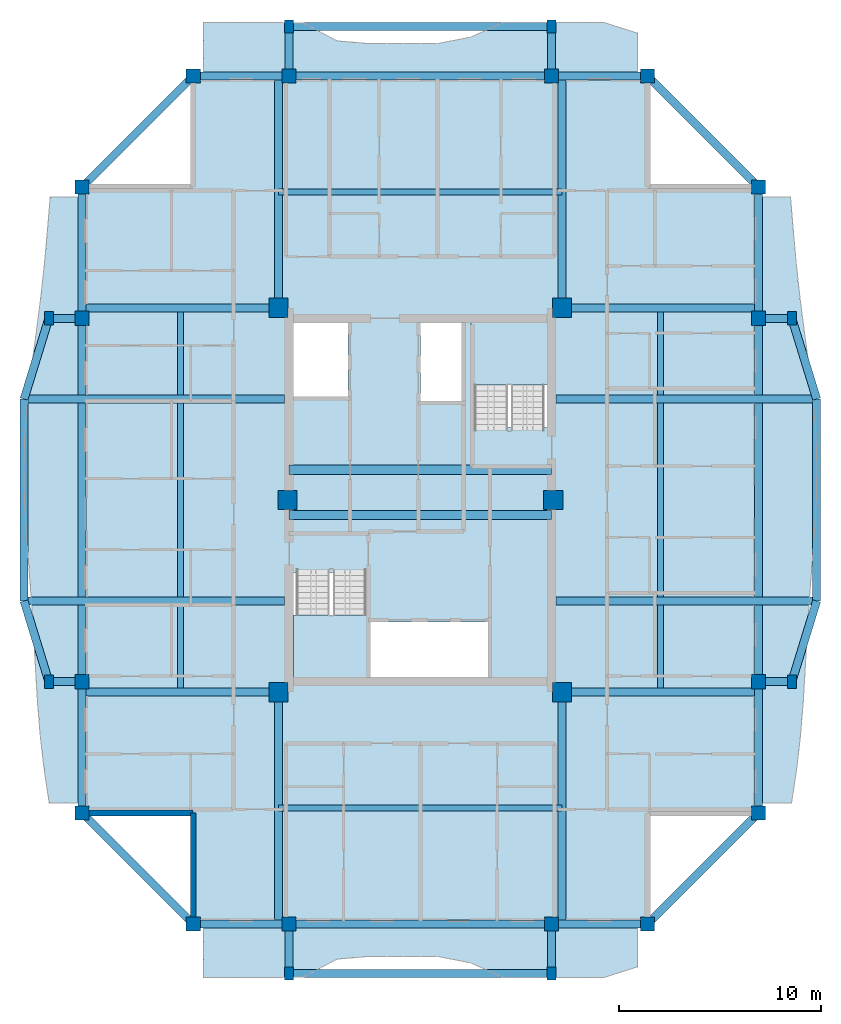
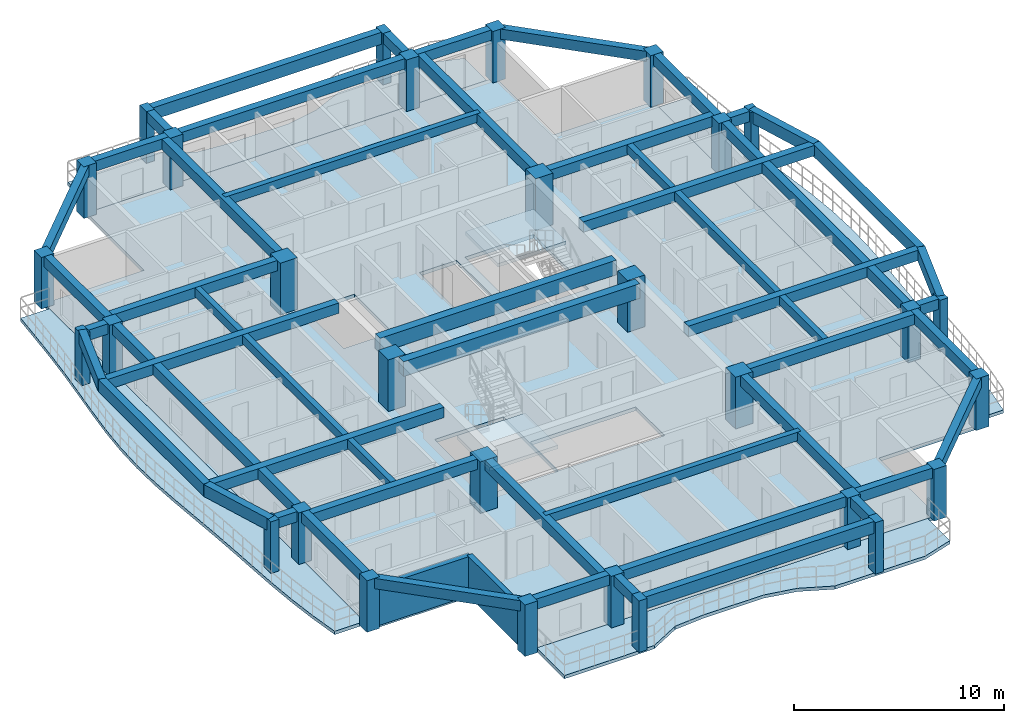
# One storey, part 1 of 13: 50 beams, 30 columns, 7 slabs, 2 walls, 2 elements without a shape of their own.
"""IFC4 building model written with IfcOpenShell, lengths in metres."""

from ifc_helpers import new_model, si_unit, direction, frame, frame_2d, origin, origin_2d, place, context, subcontext, project, spatial, polyline, rectangle, outline, extrude, source, transform, mapped, material, layer, layer_set, material_profile, profile_set, type_object, element, aggregate, save


model = new_model("IFC4")

# Units and contexts
model_context = context("Model", 3, precision=1e-05, world=origin(), true_north=direction((0.0, 1.0)))
body_context = subcontext(model_context, "Body", "Model", "MODEL_VIEW")
ifc_project = project(units=[si_unit("LENGTHUNIT", "METRE"), si_unit("AREAUNIT", "SQUARE_METRE"), si_unit("VOLUMEUNIT", "CUBIC_METRE"), si_unit("PLANEANGLEUNIT", "RADIAN"), si_unit("MASSUNIT", "GRAM", prefix="KILO")], contexts=[model_context])

# Site, building, storey
site_placement = place(None, origin())
site = spatial("IfcSite", under=ifc_project, at=site_placement, CompositionType="ELEMENT")
building_placement = place(site_placement, origin())
building = spatial("IfcBuilding", under=site, at=building_placement, Name="Saelheon Loggia Tower", CompositionType="ELEMENT")
storey_placement = place(building_placement, frame((0.0, 0.0, 223.199951171875)))
storey = spatial("IfcBuildingStorey", under=building, at=storey_placement, Name="L69", CompositionType="ELEMENT", Elevation=223.199951171875)

# Columns
ifc_material_1 = material(Name="Concrete C45/55", Category="concrete")
ifc_material_profile_1 = material_profile(ifc_material_1, rectangle(XDim=0.949951171875, YDim=0.949951171875, at=origin_2d()), Name="RC-950x950")
ifc_profile_set_1 = profile_set([ifc_material_profile_1], Name="Concrete C45/55")
column_type_1 = type_object("IfcColumnType", Name="Col_Core_RC950", PredefinedType="COLUMN", material=ifc_profile_set_1)
shared_shape_1 = source(origin(), body_context, "Body", "SweptSolid", [
    extrude(rectangle(XDim=0.949951171875, YDim=0.949951171875, at=origin_2d()), origin(), (0.0, 0.0, 1.0), 3.0),
])
for number, where, z_axis, x_axis, name in (
    (1, (30.97998046875, 17.47998046875, 0.0), (0.0, 0.0, 1.0), (1.0, 0.0, 0.0), "L69 Core Column CR-SW"),
    (2, (45.02001953125, 17.47998046875, 0.0), (0.0, 0.0, 1.0), (1.0, 0.0, 0.0), "L69 Core Column CR-SE"),
    (3, (30.97998046875, 36.52001953125, 0.0), (0.0, 0.0, 1.0), (1.0, 0.0, 0.0), "L69 Core Column CR-NW"),
    (4, (45.02001953125, 36.52001953125, 0.0), (0.0, 0.0, 1.0), (1.0, 0.0, 0.0), "L69 Core Column CR-NE"),
    (5, (31.419921875, 27.0, 0.0), (0.0, 0.0, 1.0), (1.0, 0.0, 0.0), "L69 Core Column CR-MW"),
    (6, (44.580078125, 27.0, 0.0), (0.0, 0.0, 1.0), (1.0, 0.0, 0.0), "L69 Core Column CR-ME"),
):
    element("IfcColumn", number, at=place(storey_placement, frame(where, z_axis=z_axis, x_axis=x_axis)), inside=storey, type_object=column_type_1, Name=name, PredefinedType="COLUMN", context=body_context, shape_type="MappedRepresentation", body=[
        mapped(shared_shape_1, transform((0.0, 0.0, 0.0), scale=1.0)),
    ])
ifc_material_2 = material(Name="Precast Concrete C45/55", Category="concrete")
ifc_material_profile_2 = material_profile(ifc_material_2, rectangle(XDim=0.449951171875, YDim=0.64990234375, at=origin_2d()), Name="RC-450x650")
ifc_profile_set_2 = profile_set([ifc_material_profile_2], Name="Precast Concrete C45/55")
column_type_2 = type_object("IfcColumnType", Name="Col_Loggia_Pilaster_650", PredefinedType="PILASTER", material=ifc_profile_set_2)
shared_shape_2 = source(origin(), body_context, "Body", "SweptSolid", [
    extrude(rectangle(XDim=0.449951171875, YDim=0.64990234375, at=origin_2d()), origin(), (0.0, 0.0, 1.0), 3.0),
])
for number, where, z_axis, x_axis, name in (
    (7, (31.5, 3.550048828125, 0.0), (0.0, 0.0, 1.0), (1.0, 0.0, 0.0), "L69 Loggia Frame Pilaster LP-S1"),
    (8, (44.5, 3.550048828125, 0.0), (0.0, 0.0, 1.0), (1.0, 0.0, 0.0), "L69 Loggia Frame Pilaster LP-S2"),
    (9, (31.5, 50.449951171875, 0.0), (0.0, 0.0, 1.0), (1.0, 0.0, 0.0), "L69 Loggia Frame Pilaster LP-N1"),
    (10, (44.5, 50.449951171875, 0.0), (0.0, 0.0, 1.0), (1.0, 0.0, 0.0), "L69 Loggia Frame Pilaster LP-N2"),
    (11, (56.39990234375, 18.0, 0.0), (0.0, 0.0, 1.0), (1.0, 0.0, 0.0), "L69 Loggia Frame Pilaster LP-E1"),
    (12, (56.39990234375, 36.0, 0.0), (0.0, 0.0, 1.0), (1.0, 0.0, 0.0), "L69 Loggia Frame Pilaster LP-E2"),
    (13, (19.60009765625, 18.0, 0.0), (0.0, 0.0, 1.0), (1.0, 0.0, 0.0), "L69 Loggia Frame Pilaster LP-W1"),
    (14, (19.60009765625, 36.0, 0.0), (0.0, 0.0, 1.0), (1.0, 0.0, 0.0), "L69 Loggia Frame Pilaster LP-W2"),
):
    element("IfcColumn", number, at=place(storey_placement, frame(where, z_axis=z_axis, x_axis=x_axis)), inside=storey, type_object=column_type_2, Name=name, PredefinedType="PILASTER", context=body_context, shape_type="MappedRepresentation", body=[
        mapped(shared_shape_2, transform((0.0, 0.0, 0.0), scale=1.0)),
    ])
ifc_material_profile_3 = material_profile(ifc_material_1, rectangle(XDim=0.699951171875, YDim=0.699951171875, at=origin_2d()), Name="RC-700x700")
ifc_profile_set_3 = profile_set([ifc_material_profile_3], Name="Concrete C45/55")
column_type_3 = type_object("IfcColumnType", Name="Col_Perim_RC700", PredefinedType="COLUMN", material=ifc_profile_set_3)
shared_shape_3 = source(origin(), body_context, "Body", "SweptSolid", [
    extrude(rectangle(XDim=0.699951171875, YDim=0.699951171875, at=origin_2d()), origin(), (0.0, 0.0, 1.0), 3.0),
])
for number, where, z_axis, x_axis, name in (
    (15, (26.75, 6.0, 0.0), (0.0, 0.0, 1.0), (1.0, 0.0, 0.0), "L69 Perimeter Column TP-S1"),
    (16, (31.5, 6.0, 0.0), (0.0, 0.0, 1.0), (1.0, 0.0, 0.0), "L69 Perimeter Column TP-SA"),
    (17, (44.5, 6.0, 0.0), (0.0, 0.0, 1.0), (1.0, 0.0, 0.0), "L69 Perimeter Column TP-SB"),
    (18, (49.25, 6.0, 0.0), (0.0, 0.0, 1.0), (1.0, 0.0, 0.0), "L69 Perimeter Column TP-S2"),
    (19, (54.75, 11.5, 0.0), (0.0, 0.0, 1.0), (1.0, 0.0, 0.0), "L69 Perimeter Column TP-E1"),
    (20, (54.75, 18.0, 0.0), (0.0, 0.0, 1.0), (1.0, 0.0, 0.0), "L69 Perimeter Column TP-EA"),
    (21, (54.75, 36.0, 0.0), (0.0, 0.0, 1.0), (1.0, 0.0, 0.0), "L69 Perimeter Column TP-EB"),
    (22, (54.75, 42.5, 0.0), (0.0, 0.0, 1.0), (1.0, 0.0, 0.0), "L69 Perimeter Column TP-E2"),
    (23, (49.25, 48.0, 0.0), (0.0, 0.0, 1.0), (1.0, 0.0, 0.0), "L69 Perimeter Column TP-N2"),
    (24, (44.5, 48.0, 0.0), (0.0, 0.0, 1.0), (1.0, 0.0, 0.0), "L69 Perimeter Column TP-NB"),
    (25, (31.5, 48.0, 0.0), (0.0, 0.0, 1.0), (1.0, 0.0, 0.0), "L69 Perimeter Column TP-NA"),
    (26, (26.75, 48.0, 0.0), (0.0, 0.0, 1.0), (1.0, 0.0, 0.0), "L69 Perimeter Column TP-N1"),
    (27, (21.25, 42.5, 0.0), (0.0, 0.0, 1.0), (1.0, 0.0, 0.0), "L69 Perimeter Column TP-W2"),
    (28, (21.25, 36.0, 0.0), (0.0, 0.0, 1.0), (1.0, 0.0, 0.0), "L69 Perimeter Column TP-WB"),
    (29, (21.25, 18.0, 0.0), (0.0, 0.0, 1.0), (1.0, 0.0, 0.0), "L69 Perimeter Column TP-WA"),
    (30, (21.25, 11.5, 0.0), (0.0, 0.0, 1.0), (1.0, 0.0, 0.0), "L69 Perimeter Column TP-W1"),
):
    element("IfcColumn", number, at=place(storey_placement, frame(where, z_axis=z_axis, x_axis=x_axis)), inside=storey, type_object=column_type_3, Name=name, PredefinedType="COLUMN", context=body_context, shape_type="MappedRepresentation", body=[
        mapped(shared_shape_3, transform((0.0, 0.0, 0.0), scale=1.0)),
    ])

# Beams
ifc_material_3 = material(Name="Concrete C50/60", Category="concrete")
ifc_material_profile_4 = material_profile(ifc_material_3, rectangle(XDim=0.449951171875, YDim=0.85009765625, at=origin_2d()), Name="RC-450x850")
ifc_profile_set_4 = profile_set([ifc_material_profile_4], Name="Concrete C50/60")
beam_type_1 = type_object("IfcBeamType", Name="Beam_CoreLintel_RC450x850", PredefinedType="LINTEL", material=ifc_profile_set_4)
shared_shape_4 = source(origin(), body_context, "Body", "SweptSolid", [
    extrude(rectangle(XDim=0.449951171875, YDim=0.85009765625, at=origin_2d()), origin(), (0.0, 0.0, 1.0), 13.0),
])
for number, where, z_axis, x_axis, name in (
    (31, (31.5, 26.25, 2.574951171875), (1.0, 0.0, 0.0), (0.0, 1.0, 0.0), "L69 Core Coupling Lintel 1"),
    (32, (31.5, 28.5, 2.574951171875), (1.0, 0.0, 0.0), (0.0, 1.0, 0.0), "L69 Core Coupling Lintel 2"),
):
    element("IfcBeam", number, at=place(storey_placement, frame(where, z_axis=z_axis, x_axis=x_axis)), inside=storey, type_object=beam_type_1, Name=name, PredefinedType="LINTEL", context=body_context, shape_type="MappedRepresentation", body=[
        mapped(shared_shape_4, transform((0.0, 0.0, 0.0), scale=1.0)),
    ])
ifc_material_profile_5 = material_profile(ifc_material_2, rectangle(XDim=0.39990234375, YDim=0.60009765625, at=origin_2d()), Name="RC-400x600")
ifc_profile_set_5 = profile_set([ifc_material_profile_5], Name="Precast Concrete C45/55")
beam_type_2 = type_object("IfcBeamType", Name="Beam_LoggiaTie_RC400x600", PredefinedType="BEAM", material=ifc_profile_set_5)
shared_shape_5 = source(origin(), body_context, "Body", "SweptSolid", [
    extrude(rectangle(XDim=0.39990234375, YDim=0.60009765625, at=origin_2d()), origin(), (0.0, 0.0, 1.0), 2.449951171875),
])
for number, where, z_axis, x_axis, name in (
    (33, (31.5, 6.0, 2.699951171875), (0.0, -1.0, 0.0), (1.0, 0.0, 0.0), "L69 Loggia Frame Tie Beam LP-S1"),
    (34, (44.5, 6.0, 2.699951171875), (0.0, -1.0, 0.0), (1.0, 0.0, 0.0), "L69 Loggia Frame Tie Beam LP-S2"),
    (35, (31.5, 48.0, 2.699951171875), (0.0, 1.0, 0.0), (-1.0, 0.0, 0.0), "L69 Loggia Frame Tie Beam LP-N1"),
    (36, (44.5, 48.0, 2.699951171875), (0.0, 1.0, 0.0), (-1.0, 0.0, 0.0), "L69 Loggia Frame Tie Beam LP-N2"),
):
    element("IfcBeam", number, at=place(storey_placement, frame(where, z_axis=z_axis, x_axis=x_axis)), inside=storey, type_object=beam_type_2, Name=name, PredefinedType="BEAM", context=body_context, shape_type="MappedRepresentation", body=[
        mapped(shared_shape_5, transform((0.0, 0.0, 0.0), scale=1.0)),
    ])
ifc_material_4 = material(Name="Concrete C40/50", Category="concrete")
ifc_material_profile_6 = material_profile(ifc_material_4, rectangle(XDim=0.300048828125, YDim=0.5, at=origin_2d()), Name="RC-300x500")
ifc_profile_set_6 = profile_set([ifc_material_profile_6], Name="Concrete C40/50")
beam_type_3 = type_object("IfcBeamType", Name="Beam_Joist_RC300x500", PredefinedType="JOIST", material=ifc_profile_set_6)
shared_shape_6 = source(origin(), body_context, "Body", "SweptSolid", [
    extrude(rectangle(XDim=0.300048828125, YDim=0.5, at=origin_2d()), origin(), (0.0, 0.0, 1.0), 14.0400390625),
])
for number, where, z_axis, x_axis, name in (
    (37, (30.97998046875, 11.739990234375, 2.75), (1.0, 0.0, 0.0), (0.0, 1.0, 0.0), "L69 South Floor Joist"),
    (38, (30.97998046875, 42.260009765625, 2.75), (1.0, 0.0, 0.0), (0.0, 1.0, 0.0), "L69 North Floor Joist"),
):
    element("IfcBeam", number, at=place(storey_placement, frame(where, z_axis=z_axis, x_axis=x_axis)), inside=storey, type_object=beam_type_3, Name=name, PredefinedType="JOIST", context=body_context, shape_type="MappedRepresentation", body=[
        mapped(shared_shape_6, transform((0.0, 0.0, 0.0), scale=1.0)),
    ])
shared_shape_7 = source(origin(), body_context, "Body", "SweptSolid", [
    extrude(rectangle(XDim=0.300048828125, YDim=0.5, at=origin_2d()), origin(), (0.0, 0.0, 1.0), 19.0400390625),
])
for number, where, z_axis, x_axis, name in (
    (39, (26.114990234375, 17.47998046875, 2.75), (0.0, 1.0, 0.0), (-1.0, 0.0, 0.0), "L69 West Floor Joist"),
    (40, (49.885009765625, 17.47998046875, 2.75), (0.0, 1.0, 0.0), (-1.0, 0.0, 0.0), "L69 East Floor Joist"),
):
    element("IfcBeam", number, at=place(storey_placement, frame(where, z_axis=z_axis, x_axis=x_axis)), inside=storey, type_object=beam_type_3, Name=name, PredefinedType="JOIST", context=body_context, shape_type="MappedRepresentation", body=[
        mapped(shared_shape_7, transform((0.0, 0.0, 0.0), scale=1.0)),
    ])
shared_shape_8 = source(origin(), body_context, "Body", "SweptSolid", [
    extrude(rectangle(XDim=0.39990234375, YDim=0.60009765625, at=origin_2d()), origin(), (0.0, 0.0, 1.0), 1.64990234375),
])
for number, where, z_axis, x_axis, name in (
    (41, (54.75, 18.0, 2.699951171875), (1.0, 0.0, 0.0), (0.0, 1.0, 0.0), "L69 Loggia Frame Tie Beam LP-E1"),
    (42, (54.75, 36.0, 2.699951171875), (1.0, 0.0, 0.0), (0.0, 1.0, 0.0), "L69 Loggia Frame Tie Beam LP-E2"),
    (43, (21.25, 18.0, 2.699951171875), (-1.0, 0.0, 0.0), (0.0, -1.0, 0.0), "L69 Loggia Frame Tie Beam LP-W1"),
    (44, (21.25, 36.0, 2.699951171875), (-1.0, 0.0, 0.0), (0.0, -1.0, 0.0), "L69 Loggia Frame Tie Beam LP-W2"),
):
    element("IfcBeam", number, at=place(storey_placement, frame(where, z_axis=z_axis, x_axis=x_axis)), inside=storey, type_object=beam_type_2, Name=name, PredefinedType="BEAM", context=body_context, shape_type="MappedRepresentation", body=[
        mapped(shared_shape_8, transform((0.0, 0.0, 0.0), scale=1.0)),
    ])
ifc_material_profile_7 = material_profile(ifc_material_2, rectangle(XDim=0.39990234375, YDim=0.699951171875, at=origin_2d()), Name="RC-400x700")
ifc_profile_set_7 = profile_set([ifc_material_profile_7], Name="Precast Concrete C45/55")
beam_type_4 = type_object("IfcBeamType", Name="Beam_LoggiaSpandrel_RC400x700", PredefinedType="SPANDREL", material=ifc_profile_set_7)
shared_shape_9 = source(origin(), body_context, "Body", "SweptSolid", [
    extrude(rectangle(XDim=0.39990234375, YDim=0.699951171875, at=origin_2d()), origin(), (0.0, 0.0, 1.0), 13.0),
])
for number, where, z_axis, x_axis, name in (
    (45, (31.5, 3.550048828125, 2.650146484375), (1.0, 0.0, 0.0), (0.0, 1.0, 0.0), "L69 Loggia Spandrel Beam S"),
    (46, (31.5, 50.449951171875, 2.650146484375), (1.0, 0.0, 0.0), (0.0, 1.0, 0.0), "L69 Loggia Spandrel Beam N"),
):
    element("IfcBeam", number, at=place(storey_placement, frame(where, z_axis=z_axis, x_axis=x_axis)), inside=storey, type_object=beam_type_4, Name=name, PredefinedType="SPANDREL", context=body_context, shape_type="MappedRepresentation", body=[
        mapped(shared_shape_9, transform((0.0, 0.0, 0.0), scale=1.0)),
    ])
shared_shape_10 = source(origin(), body_context, "Body", "SweptSolid", [
    extrude(rectangle(XDim=0.39990234375, YDim=0.699951171875, at=origin_2d()), origin(), (0.0, 0.0, 1.0), 4.184814453125),
])
for number, where, z_axis, x_axis, name in (
    (47, (56.39990234375, 18.0, 2.650146484375), (0.293913664135, 0.955831971653, 0.0), (-0.955831971653, 0.293913664135, 0.0), "L69 Curved Loggia Spandrel E 1"),
    (48, (57.6298828125, 32.0, 2.650146484375), (-0.293913664135, 0.955831971653, 0.0), (-0.955831971653, -0.293913664135, 0.0), "L69 Curved Loggia Spandrel E 3"),
    (49, (19.60009765625, 18.0, 2.650146484375), (-0.293913664135, 0.955831971653, 0.0), (-0.955831971653, -0.293913664135, 0.0), "L69 Curved Loggia Spandrel W 1"),
    (50, (18.3701171875, 32.0, 2.650146484375), (0.293913664135, 0.955831971653, 0.0), (-0.955831971653, 0.293913664135, 0.0), "L69 Curved Loggia Spandrel W 3"),
):
    element("IfcBeam", number, at=place(storey_placement, frame(where, z_axis=z_axis, x_axis=x_axis)), inside=storey, type_object=beam_type_4, Name=name, PredefinedType="SPANDREL", context=body_context, shape_type="MappedRepresentation", body=[
        mapped(shared_shape_10, transform((0.0, 0.0, 0.0), scale=1.0)),
    ])
shared_shape_11 = source(origin(), body_context, "Body", "SweptSolid", [
    extrude(rectangle(XDim=0.39990234375, YDim=0.699951171875, at=origin_2d()), origin(), (0.0, 0.0, 1.0), 10.0),
])
for number, where, z_axis, x_axis, name in (
    (51, (57.6298828125, 22.0, 2.650146484375), (0.0, 1.0, 0.0), (-1.0, 0.0, 0.0), "L69 Curved Loggia Spandrel E 2"),
    (52, (18.3701171875, 22.0, 2.650146484375), (0.0, 1.0, 0.0), (-1.0, 0.0, 0.0), "L69 Curved Loggia Spandrel W 2"),
):
    element("IfcBeam", number, at=place(storey_placement, frame(where, z_axis=z_axis, x_axis=x_axis)), inside=storey, type_object=beam_type_4, Name=name, PredefinedType="SPANDREL", context=body_context, shape_type="MappedRepresentation", body=[
        mapped(shared_shape_11, transform((0.0, 0.0, 0.0), scale=1.0)),
    ])
ifc_material_profile_8 = material_profile(ifc_material_4, rectangle(XDim=0.39990234375, YDim=0.60009765625, at=origin_2d()), Name="RC-400x600")
ifc_profile_set_8 = profile_set([ifc_material_profile_8], Name="Concrete C40/50")
beam_type_5 = type_object("IfcBeamType", Name="Beam_PerimUpper_RC400x600", PredefinedType="BEAM", material=ifc_profile_set_8)
shared_shape_12 = source(origin(), body_context, "Body", "SweptSolid", [
    extrude(rectangle(XDim=0.39990234375, YDim=0.60009765625, at=origin_2d()), origin(), (0.0, 0.0, 1.0), 13.0),
])
for number, where, z_axis, x_axis, name in (
    (53, (31.5, 6.0, 2.699951171875), (1.0, 0.0, 0.0), (0.0, 1.0, 0.0), "L69 Perimeter Frame Girder 02"),
    (54, (44.5, 48.0, 2.699951171875), (-1.0, 0.0, 0.0), (0.0, -1.0, 0.0), "L69 Perimeter Frame Girder 10"),
):
    element("IfcBeam", number, at=place(storey_placement, frame(where, z_axis=z_axis, x_axis=x_axis)), inside=storey, type_object=beam_type_5, Name=name, PredefinedType="BEAM", context=body_context, shape_type="MappedRepresentation", body=[
        mapped(shared_shape_12, transform((0.0, 0.0, 0.0), scale=1.0)),
    ])
shared_shape_13 = source(origin(), body_context, "Body", "SweptSolid", [
    extrude(rectangle(XDim=0.39990234375, YDim=0.60009765625, at=origin_2d()), origin(), (0.0, 0.0, 1.0), 18.0),
])
for number, where, z_axis, x_axis, name in (
    (55, (54.75, 18.0, 2.699951171875), (0.0, 1.0, 0.0), (-1.0, 0.0, 0.0), "L69 Perimeter Frame Girder 06"),
    (56, (21.25, 36.0, 2.699951171875), (0.0, -1.0, 0.0), (1.0, 0.0, 0.0), "L69 Perimeter Frame Girder 14"),
):
    element("IfcBeam", number, at=place(storey_placement, frame(where, z_axis=z_axis, x_axis=x_axis)), inside=storey, type_object=beam_type_5, Name=name, PredefinedType="BEAM", context=body_context, shape_type="MappedRepresentation", body=[
        mapped(shared_shape_13, transform((0.0, 0.0, 0.0), scale=1.0)),
    ])
ifc_material_profile_9 = material_profile(ifc_material_4, rectangle(XDim=0.39990234375, YDim=0.60009765625, at=origin_2d()), Name="RC-400x600")
ifc_profile_set_9 = profile_set([ifc_material_profile_9], Name="Concrete C40/50")
beam_type_6 = type_object("IfcBeamType", Name="Beam_UpperGirder_RC400x600", PredefinedType="BEAM", material=ifc_profile_set_9)
shared_shape_14 = source(origin(), body_context, "Body", "SweptSolid", [
    extrude(rectangle(XDim=0.39990234375, YDim=0.60009765625, at=origin_2d()), origin(), (0.0, 0.0, 1.0), 11.47998046875),
])
for number, where, z_axis, x_axis, name in (
    (57, (30.97998046875, 17.47998046875, 2.699951171875), (0.0, -1.0, 0.0), (1.0, 0.0, 0.0), "L69 Radial Floor Girder RAD-SW-S"),
    (58, (45.02001953125, 17.47998046875, 2.699951171875), (0.0, -1.0, 0.0), (1.0, 0.0, 0.0), "L69 Radial Floor Girder RAD-SE-S"),
    (59, (30.97998046875, 36.52001953125, 2.699951171875), (0.0, 1.0, 0.0), (-1.0, 0.0, 0.0), "L69 Radial Floor Girder RAD-NW-N"),
    (60, (45.02001953125, 36.52001953125, 2.699951171875), (0.0, 1.0, 0.0), (-1.0, 0.0, 0.0), "L69 Radial Floor Girder RAD-NE-N"),
):
    element("IfcBeam", number, at=place(storey_placement, frame(where, z_axis=z_axis, x_axis=x_axis)), inside=storey, type_object=beam_type_6, Name=name, PredefinedType="BEAM", context=body_context, shape_type="MappedRepresentation", body=[
        mapped(shared_shape_14, transform((0.0, 0.0, 0.0), scale=1.0)),
    ])
shared_shape_15 = source(origin(), body_context, "Body", "SweptSolid", [
    extrude(rectangle(XDim=0.39990234375, YDim=0.60009765625, at=origin_2d()), origin(), (0.0, 0.0, 1.0), 6.5),
])
for number, where, z_axis, x_axis, name in (
    (61, (54.75, 11.5, 2.699951171875), (0.0, 1.0, 0.0), (-1.0, 0.0, 0.0), "L69 Perimeter Frame Girder 05"),
    (62, (54.75, 36.0, 2.699951171875), (0.0, 1.0, 0.0), (-1.0, 0.0, 0.0), "L69 Perimeter Frame Girder 07"),
    (63, (21.25, 42.5, 2.699951171875), (0.0, -1.0, 0.0), (1.0, 0.0, 0.0), "L69 Perimeter Frame Girder 13"),
    (64, (21.25, 18.0, 2.699951171875), (0.0, -1.0, 0.0), (1.0, 0.0, 0.0), "L69 Perimeter Frame Girder 15"),
):
    element("IfcBeam", number, at=place(storey_placement, frame(where, z_axis=z_axis, x_axis=x_axis)), inside=storey, type_object=beam_type_5, Name=name, PredefinedType="BEAM", context=body_context, shape_type="MappedRepresentation", body=[
        mapped(shared_shape_15, transform((0.0, 0.0, 0.0), scale=1.0)),
    ])
shared_shape_16 = source(origin(), body_context, "Body", "SweptSolid", [
    extrude(rectangle(XDim=0.39990234375, YDim=0.60009765625, at=origin_2d()), origin(), (0.0, 0.0, 1.0), 7.778076171875),
])
for number, where, z_axis, x_axis, name in (
    (65, (49.25, 6.0, 2.699951171875), (0.707106781187, 0.707106781187, 0.0), (-0.707106781187, 0.707106781187, 0.0), "L69 Perimeter Frame Girder 04"),
    (66, (54.75, 42.5, 2.699951171875), (-0.707106781187, 0.707106781187, 0.0), (-0.707106781187, -0.707106781187, 0.0), "L69 Perimeter Frame Girder 08"),
    (67, (26.75, 48.0, 2.699951171875), (-0.707106781187, -0.707106781187, 0.0), (0.707106781187, -0.707106781187, 0.0), "L69 Perimeter Frame Girder 12"),
    (68, (21.25, 11.5, 2.699951171875), (0.707106781187, -0.707106781187, 0.0), (0.707106781187, 0.707106781187, 0.0), "L69 Perimeter Frame Girder 16"),
):
    element("IfcBeam", number, at=place(storey_placement, frame(where, z_axis=z_axis, x_axis=x_axis)), inside=storey, type_object=beam_type_5, Name=name, PredefinedType="BEAM", context=body_context, shape_type="MappedRepresentation", body=[
        mapped(shared_shape_16, transform((0.0, 0.0, 0.0), scale=1.0)),
    ])
shared_shape_17 = source(origin(), body_context, "Body", "SweptSolid", [
    extrude(rectangle(XDim=0.39990234375, YDim=0.60009765625, at=origin_2d()), origin(), (0.0, 0.0, 1.0), 4.75),
])
for number, where, z_axis, x_axis, name in (
    (69, (26.75, 6.0, 2.699951171875), (1.0, 0.0, 0.0), (0.0, 1.0, 0.0), "L69 Perimeter Frame Girder 01"),
    (70, (44.5, 6.0, 2.699951171875), (1.0, 0.0, 0.0), (0.0, 1.0, 0.0), "L69 Perimeter Frame Girder 03"),
    (71, (49.25, 48.0, 2.699951171875), (-1.0, 0.0, 0.0), (0.0, -1.0, 0.0), "L69 Perimeter Frame Girder 09"),
    (72, (31.5, 48.0, 2.699951171875), (-1.0, 0.0, 0.0), (0.0, -1.0, 0.0), "L69 Perimeter Frame Girder 11"),
):
    element("IfcBeam", number, at=place(storey_placement, frame(where, z_axis=z_axis, x_axis=x_axis)), inside=storey, type_object=beam_type_5, Name=name, PredefinedType="BEAM", context=body_context, shape_type="MappedRepresentation", body=[
        mapped(shared_shape_17, transform((0.0, 0.0, 0.0), scale=1.0)),
    ])
shared_shape_18 = source(origin(), body_context, "Body", "SweptSolid", [
    extrude(rectangle(XDim=0.39990234375, YDim=0.60009765625, at=origin_2d()), origin(), (0.0, 0.0, 1.0), 9.72998046875),
])
for number, where, z_axis, x_axis, name in (
    (73, (30.97998046875, 17.47998046875, 2.699951171875), (-1.0, 0.0, 0.0), (0.0, -1.0, 0.0), "L69 Radial Floor Girder RAD-SW-W"),
    (74, (30.97998046875, 36.52001953125, 2.699951171875), (-1.0, 0.0, 0.0), (0.0, -1.0, 0.0), "L69 Radial Floor Girder RAD-NW-W"),
    (75, (45.02001953125, 17.47998046875, 2.699951171875), (1.0, 0.0, 0.0), (0.0, 1.0, 0.0), "L69 Radial Floor Girder RAD-SE-E"),
    (76, (45.02001953125, 36.52001953125, 2.699951171875), (1.0, 0.0, 0.0), (0.0, 1.0, 0.0), "L69 Radial Floor Girder RAD-NE-E"),
):
    element("IfcBeam", number, at=place(storey_placement, frame(where, z_axis=z_axis, x_axis=x_axis)), inside=storey, type_object=beam_type_6, Name=name, PredefinedType="BEAM", context=body_context, shape_type="MappedRepresentation", body=[
        mapped(shared_shape_18, transform((0.0, 0.0, 0.0), scale=1.0)),
    ])
shared_shape_19 = source(origin(), body_context, "Body", "SweptSolid", [
    extrude(rectangle(XDim=0.39990234375, YDim=0.60009765625, at=origin_2d()), origin(), (0.0, 0.0, 1.0), 12.909912109375),
])
for number, where, z_axis, x_axis, name in (
    (77, (44.719970703125, 22.0, 2.699951171875), (1.0, 0.0, 0.0), (0.0, 1.0, 0.0), "L69 Curved Facade Outrigger Beam E 1"),
    (78, (44.719970703125, 32.0, 2.699951171875), (1.0, 0.0, 0.0), (0.0, 1.0, 0.0), "L69 Curved Facade Outrigger Beam E 2"),
    (79, (31.280029296875, 22.0, 2.699951171875), (-1.0, 0.0, 0.0), (0.0, -1.0, 0.0), "L69 Curved Facade Outrigger Beam W 1"),
    (80, (31.280029296875, 32.0, 2.699951171875), (-1.0, 0.0, 0.0), (0.0, -1.0, 0.0), "L69 Curved Facade Outrigger Beam W 2"),
):
    element("IfcBeam", number, at=place(storey_placement, frame(where, z_axis=z_axis, x_axis=x_axis)), inside=storey, type_object=beam_type_2, Name=name, PredefinedType="BEAM", context=body_context, shape_type="MappedRepresentation", body=[
        mapped(shared_shape_19, transform((0.0, 0.0, 0.0), scale=1.0)),
    ])

# Slabs
ifc_layer_1 = layer(ifc_material_2, 0.18994140625)
ifc_layer_set_1 = layer_set([ifc_layer_1], Name="Precast Concrete C45/55")
slab_type_1 = type_object("IfcSlabType", Name="Slab_Loggia_Ext_190", PredefinedType="FLOOR", material=ifc_layer_set_1)
slab_1_placement = place(storey_placement, frame((0.0, 0.0, -0.18994140625)))
element("IfcSlab", 81, at=slab_1_placement, inside=storey, type_object=slab_type_1, Name="L69 Loggia Balcony Slab S", PredefinedType="FLOOR", context=body_context, shape_type="SweptSolid", body=[
    extrude(outline(polyline([(27.25, 3.35009765625), (28.90380859375, 3.35009765625), (30.5576171875, 3.35009765625), (32.21142578125, 3.377197265625), (33.865478515625, 4.259521484375), (35.519287109375, 4.39990234375), (37.173095703125, 4.39990234375), (38.826904296875, 4.39990234375), (40.480712890625, 4.076904296875), (42.134521484375, 3.35009765625), (43.78857421875, 3.35009765625), (45.4423828125, 3.35009765625), (47.09619140625, 3.35009765625), (48.75, 3.877197265625), (48.75, 6.0), (27.25, 6.0), (27.25, 3.35009765625)])), origin(), (0.0, 0.0, 1.0), 0.18994140625),
])
slab_2_placement = place(storey_placement, frame((0.0, 0.0, -0.18994140625)))
element("IfcSlab", 82, at=slab_2_placement, inside=storey, type_object=slab_type_1, Name="L69 Loggia Balcony Slab N", PredefinedType="FLOOR", context=body_context, shape_type="SweptSolid", body=[
    extrude(outline(polyline([(27.25, 48.0), (48.75, 48.0), (48.75, 50.122802734375), (47.09619140625, 50.64990234375), (45.4423828125, 50.64990234375), (43.78857421875, 50.64990234375), (42.134521484375, 50.64990234375), (40.480712890625, 49.923095703125), (38.826904296875, 49.60009765625), (37.173095703125, 49.60009765625), (35.519287109375, 49.60009765625), (33.865478515625, 49.740478515625), (32.21142578125, 50.622802734375), (30.5576171875, 50.64990234375), (28.90380859375, 50.64990234375), (27.25, 50.64990234375), (27.25, 48.0)])), origin(), (0.0, 0.0, 1.0), 0.18994140625),
])
slab_3_placement = place(storey_placement, frame((0.0, 0.0, -0.18994140625)))
element("IfcSlab", 83, at=slab_3_placement, inside=storey, type_object=slab_type_1, Name="L69 Loggia Balcony Slab E", PredefinedType="FLOOR", context=body_context, shape_type="SweptSolid", body=[
    extrude(outline(polyline([(54.75, 12.0), (56.385009765625, 12.0), (56.63623046875, 13.666748046875), (56.829345703125, 15.333251953125), (56.96533203125, 17.0), (57.064697265625, 18.666748046875), (57.156494140625, 20.333251953125), (57.26318359375, 22.0), (57.388671875, 23.666748046875), (57.515625, 25.333251953125), (57.612060546875, 27.0), (57.6435546875, 28.666748046875), (57.588623046875, 30.333251953125), (57.44873046875, 32.0), (57.2470703125, 33.666748046875), (57.02099609375, 35.333251953125), (56.80615234375, 37.0), (56.6240234375, 38.666748046875), (56.473876953125, 40.333251953125), (56.335693359375, 42.0), (54.75, 42.0), (54.75, 12.0)])), origin(), (0.0, 0.0, 1.0), 0.18994140625),
])
slab_4_placement = place(storey_placement, frame((0.0, 0.0, -0.18994140625)))
element("IfcSlab", 84, at=slab_4_placement, inside=storey, type_object=slab_type_1, Name="L69 Loggia Balcony Slab W", PredefinedType="FLOOR", context=body_context, shape_type="SweptSolid", body=[
    extrude(outline(polyline([(21.25, 12.0), (21.25, 42.0), (19.664306640625, 42.0), (19.526123046875, 40.333251953125), (19.3759765625, 38.666748046875), (19.19384765625, 37.0), (18.97900390625, 35.333251953125), (18.7529296875, 33.666748046875), (18.55126953125, 32.0), (18.411376953125, 30.333251953125), (18.3564453125, 28.666748046875), (18.387939453125, 27.0), (18.484375, 25.333251953125), (18.611328125, 23.666748046875), (18.73681640625, 22.0), (18.843505859375, 20.333251953125), (18.935302734375, 18.666748046875), (19.03466796875, 17.0), (19.170654296875, 15.333251953125), (19.36376953125, 13.666748046875), (19.614990234375, 12.0), (21.25, 12.0)])), origin(), (0.0, 0.0, 1.0), 0.18994140625),
])

# Stair, slab
stair_type = type_object("IfcStairType", Name="Stair_Escape_Core", PredefinedType="HALF_TURN_STAIR", material=ifc_material_4)
stair_1_placement = place(storey_placement, origin())
stair_1 = element("IfcStair", 85, at=stair_1_placement, inside=storey, type_object=stair_type, Name="L69 Special Escape Stair ST1", PredefinedType="HALF_TURN_STAIR")
ifc_layer_2 = layer(ifc_material_4, 0.199951171875)
ifc_layer_set_2 = layer_set([ifc_layer_2], Name="Concrete C40/50")
slab_type_2 = type_object("IfcSlabType", Name="Slab_StairLanding_ST1", PredefinedType="LANDING", material=ifc_layer_set_2)
slab_5_placement = place(storey_placement, frame((0.0, 0.0, 1.300048828125)))
slab_5 = element("IfcSlab", 86, at=slab_5_placement, type_object=slab_type_2, Name="ST1 landing 1", PredefinedType="LANDING", context=body_context, shape_type="SweptSolid", body=[
    extrude(outline(polyline([(31.7099609375, 21.31005859375), (31.7099609375, 18.2099609375), (35.469970703125, 18.2099609375), (35.469970703125, 21.31005859375), (31.7099609375, 21.31005859375)])), origin(), (0.0, 0.0, 1.0), 0.199951171875),
])
aggregate(stair_1, [slab_5])

stair_2_placement = place(storey_placement, origin())
stair_2 = element("IfcStair", 87, at=stair_2_placement, inside=storey, type_object=stair_type, Name="L69 Special Escape Stair ST2", PredefinedType="HALF_TURN_STAIR")
ifc_layer_3 = layer(ifc_material_4, 0.199951171875)
ifc_layer_set_3 = layer_set([ifc_layer_3], Name="Concrete C40/50")
slab_type_3 = type_object("IfcSlabType", Name="Slab_StairLanding_ST2", PredefinedType="LANDING", material=ifc_layer_set_3)
slab_6_placement = place(storey_placement, frame((0.0, 0.0, 1.300048828125)))
slab_6 = element("IfcSlab", 88, at=slab_6_placement, type_object=slab_type_3, Name="ST2 landing 1", PredefinedType="LANDING", context=body_context, shape_type="SweptSolid", body=[
    extrude(outline(polyline([(44.2900390625, 32.68994140625), (44.2900390625, 35.7900390625), (40.530029296875, 35.7900390625), (40.530029296875, 32.68994140625), (44.2900390625, 32.68994140625)])), origin(), (0.0, 0.0, 1.0), 0.199951171875),
])
aggregate(stair_2, [slab_6])

# Slab
ifc_layer_4 = layer(ifc_material_4, 0.2099609375)
ifc_layer_set_4 = layer_set([ifc_layer_4], Name="Concrete C40/50")
slab_type_4 = type_object("IfcSlabType", Name="Slab_Tower_210", PredefinedType="FLOOR", material=ifc_layer_set_4)
slab_7_placement = place(storey_placement, frame((0.0, 0.0, -0.2099609375)))
element("IfcSlab", 89, at=slab_7_placement, inside=storey, type_object=slab_type_4, Name="L69 Tower Floor Slab", PredefinedType="FLOOR", context=body_context, shape_type="SweptSolid", body=[
    extrude(outline(polyline([(26.75, 6.0), (49.25, 6.0), (49.25, 11.5), (54.75, 11.5), (54.75, 42.5), (49.25, 42.5), (49.25, 48.0), (26.75, 48.0), (26.75, 42.5), (21.25, 42.5), (21.25, 11.5), (26.75, 11.5), (26.75, 6.0)]), holes=[polyline([(31.699951171875, 23.409912109375), (31.699951171875, 18.199951171875), (35.47998046875, 18.199951171875), (35.47998046875, 23.409912109375), (31.699951171875, 23.409912109375)]), polyline([(44.300048828125, 30.590087890625), (44.300048828125, 35.800048828125), (40.52001953125, 35.800048828125), (40.52001953125, 30.590087890625), (44.300048828125, 30.590087890625)]), polyline([(35.530029296875, 18.22509765625), (41.35009765625, 18.22509765625), (41.35009765625, 20.9599609375), (35.530029296875, 20.9599609375), (35.530029296875, 18.22509765625)]), polyline([(31.72509765625, 32.1201171875), (34.419921875, 32.1201171875), (34.419921875, 35.77490234375), (31.72509765625, 35.77490234375), (31.72509765625, 32.1201171875)]), polyline([(38.0, 31.89990234375), (40.050048828125, 31.89990234375), (40.050048828125, 35.77490234375), (38.0, 35.77490234375), (38.0, 31.89990234375)])]), origin(), (0.0, 0.0, 1.0), 0.2099609375),
])

# Walls
ifc_material_5 = material(Name="Architectural Precast Concrete C40/50", Category="concrete")
ifc_layer_5 = layer(ifc_material_5, 0.280029296875)
ifc_layer_set_5 = layer_set([ifc_layer_5], Name="Architectural Precast Concrete C40/50")
wall_type = type_object("IfcWallType", Name="Wall_Ext_Loggia_280", PredefinedType="SOLIDWALL", material=ifc_layer_set_5)
for number, where, z_axis, x_axis, name in (
    (90, (26.75, 6.080078125, 0.0), (0.0, 0.0, 1.0), (0.0, 1.0, 0.0), "L69 Corner Notch Precast Wall SW1"),
    (91, (21.330078125, 11.5, 0.0), (0.0, 0.0, 1.0), (1.0, 0.0, 0.0), "L69 Corner Notch Precast Wall SW2"),
):
    element("IfcWall", number, at=place(storey_placement, frame(where, z_axis=z_axis, x_axis=x_axis)), inside=storey, type_object=wall_type, Name=name, PredefinedType="SOLIDWALL", context=body_context, shape_type="SweptSolid", body=[
        extrude(rectangle(XDim=5.419921875, YDim=0.280029296875, at=frame_2d((2.7099609375, 0.0))), origin(), (0.0, 0.0, 1.0), 2.280029296875),
    ])

save(model, "model.ifc")
